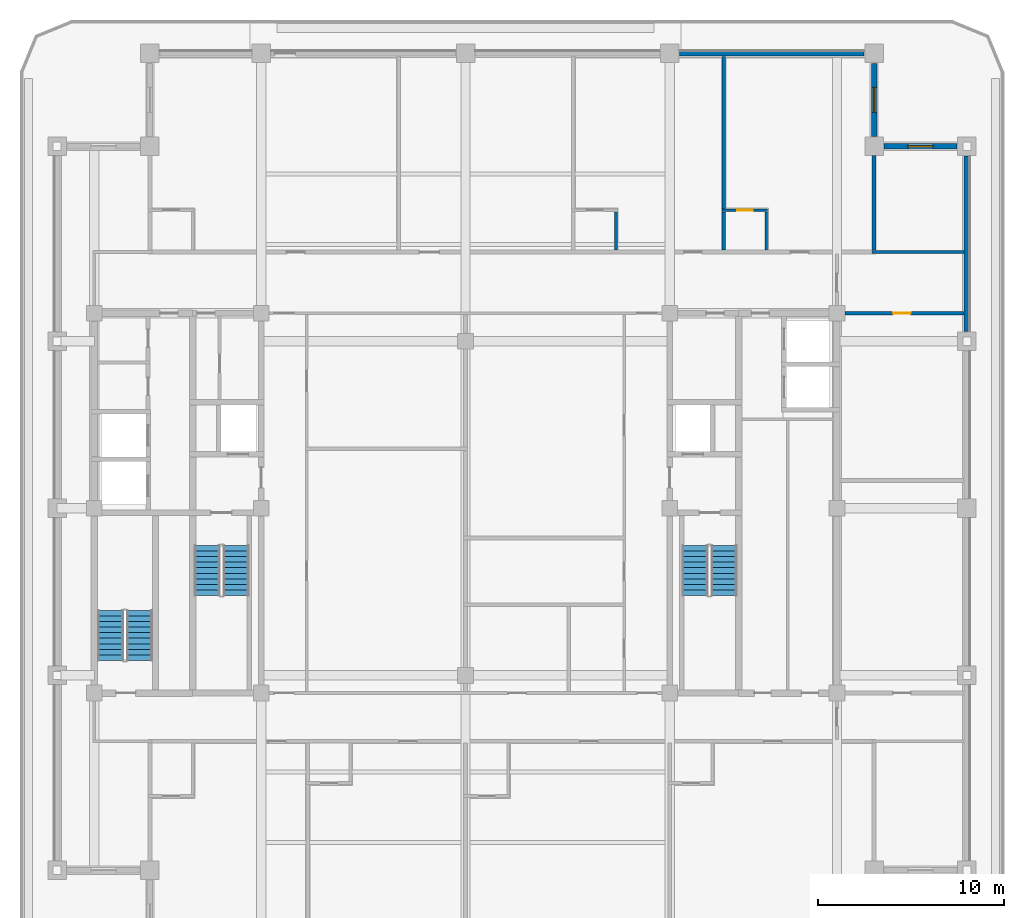
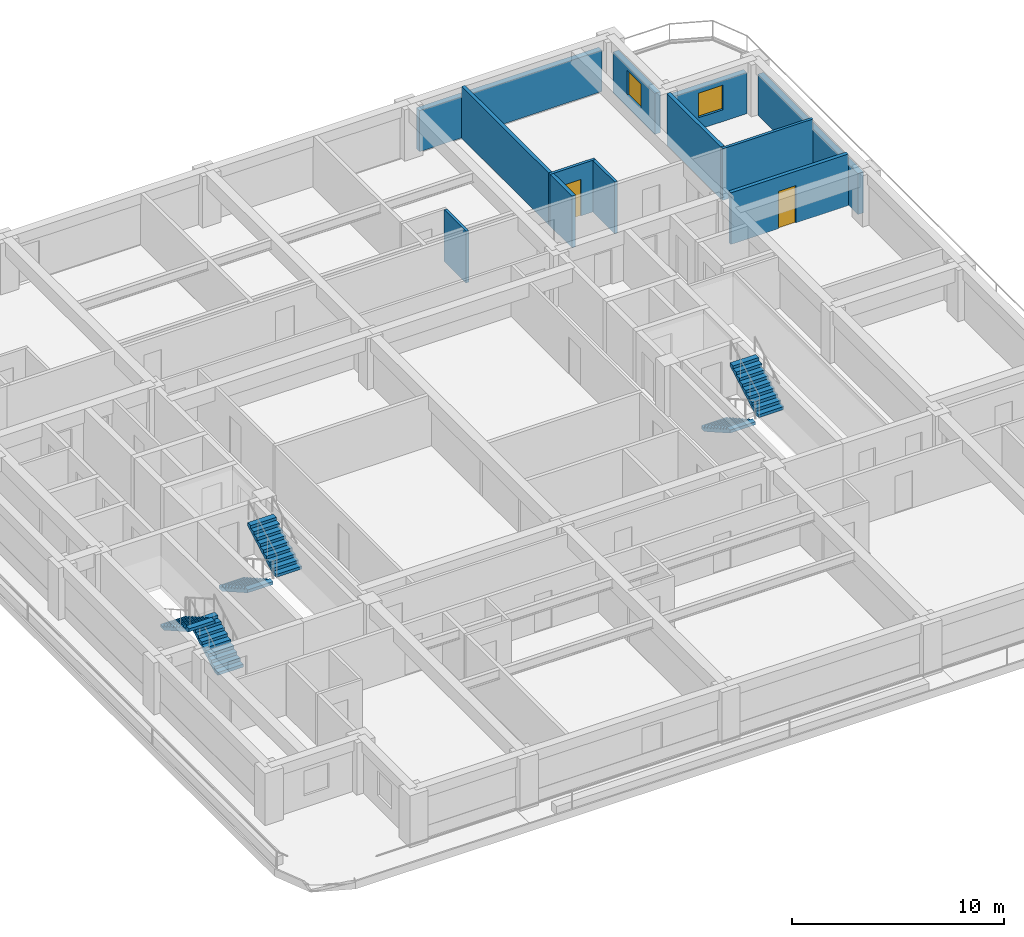
# One storey, part 6 of 13: 12 walls, 6 stair flights, 2 doors, 2 windows, 4 openings, 3 elements without a shape of their own.
"""IFC4 building model written with IfcOpenShell, lengths in metres."""

from ifc_helpers import new_model, si_unit, direction, frame, frame_2d, origin, place, context, subcontext, project, spatial, polyline, rectangle, outline, extrude, material, layer, layer_set, type_object, element, fill, aggregate, save


model = new_model("IFC4")

# Units and contexts
model_context = context("Model", 3, precision=1e-05, world=origin(), true_north=direction((0.0, 1.0)))
body_context = subcontext(model_context, "Body", "Model", "MODEL_VIEW")
ifc_project = project(units=[si_unit("LENGTHUNIT", "METRE"), si_unit("AREAUNIT", "SQUARE_METRE"), si_unit("VOLUMEUNIT", "CUBIC_METRE"), si_unit("PLANEANGLEUNIT", "RADIAN"), si_unit("MASSUNIT", "GRAM", prefix="KILO")], contexts=[model_context])

# Site, building, storey
site_placement = place(None, origin())
site = spatial("IfcSite", under=ifc_project, at=site_placement, CompositionType="ELEMENT")
building_placement = place(site_placement, origin())
building = spatial("IfcBuilding", under=site, at=building_placement, Name="Zulmaris Gate Convention Tower", CompositionType="ELEMENT")
storey_placement = place(building_placement, frame((0.0, 0.0, 183.059814453125)))
storey = spatial("IfcBuildingStorey", under=building, at=storey_placement, Name="L47", CompositionType="ELEMENT", Elevation=183.059814453125)

# Wall
ifc_material_1 = material(Name="Gypsum Metal Stud Partition")
ifc_layer_1 = layer(ifc_material_1, 0.14990234375, Name="Gypsum Metal Stud Partition")
ifc_layer_set_1 = layer_set([ifc_layer_1], Name="Gypsum Metal Stud Partition")
wall_type_1 = type_object("IfcWallType", Name="PART-150", PredefinedType="PARTITIONING", material=ifc_layer_set_1)
wall_1_placement = place(storey_placement, frame((21.89990234375, 13.800048828125, 0.0), z_axis=(0.0, 0.0, 1.0), x_axis=(1.0, 0.0, 0.0)))
element("IfcWall", 1, at=wall_1_placement, inside=storey, type_object=wall_type_1, Name="WL-L47-038", PredefinedType="PARTITIONING", context=body_context, shape_type="SweptSolid", body=[
    extrude(rectangle(XDim=4.93505859375, YDim=0.14990234375, at=frame_2d((2.467529296875, 0.0))), origin(), (0.0, 0.0, 1.0), 2.97509765625),
])

# Wall, opening, door
wall_2_placement = place(storey_placement, frame((13.800048828125, 16.050048828125, 0.0), z_axis=(0.0, 0.0, 1.0), x_axis=(1.0, 0.0, 0.0)))
wall_2 = element("IfcWall", 2, at=wall_2_placement, inside=storey, type_object=wall_type_1, Name="WL-L47-041", PredefinedType="PARTITIONING", context=body_context, shape_type="SweptSolid", body=[
    extrude(rectangle(XDim=2.474853515625, YDim=0.14990234375, at=frame_2d((1.2373046875, 0.0))), origin(), (0.0, 0.0, 1.0), 2.97509765625),
])
opening_1_placement = place(wall_2_placement, frame((0.824951171875, 0.0, 0.0)))
opening_1 = element("IfcOpeningElement", 3, at=opening_1_placement, cuts=wall_2, Name="Opening D-17", PredefinedType="OPENING", context=body_context, shape_type="SweptSolid", body=[
    extrude(rectangle(XDim=0.85009765625, YDim=2.10009765625, at=frame_2d((0.425048828125, 1.050048828125))), frame((0.0, 0.0849609375, 0.0), z_axis=(0.0, -1.0, 0.0), x_axis=(1.0, 0.0, 0.0)), (0.0, 0.0, 1.0), 0.169921875),
])
ifc_material_2 = material(Name="Moisture-Resistant Hardwood Timber", Category="wood")
door_type_1 = type_object("IfcDoorType", Name="DR-850", OperationType="NOTDEFINED", PredefinedType="DOOR", material=ifc_material_2)
door_1_placement = place(opening_1_placement, origin())
door_1 = element("IfcDoor", 4, at=door_1_placement, inside=storey, type_object=door_type_1, Name="L47 En-Suite Door 31", OperationType="SINGLE_SWING_RIGHT", OverallHeight=2.10009765625, OverallWidth=0.85009765625, PredefinedType="DOOR", context=body_context, shape_type="SweptSolid", body=[
    extrude(rectangle(XDim=0.85009765625, YDim=2.10009765625, at=frame_2d((0.425048828125, 1.050048828125))), frame((0.0, 0.02490234375, 0.0), z_axis=(0.0, -1.0, 0.0), x_axis=(1.0, 0.0, 0.0)), (0.0, 0.0, 1.0), 0.050048828125),
])
fill(opening_1, door_1)

# Walls
for number, where, z_axis, x_axis, name in (
    (5, (8.10009765625, 13.903076171875, 0.0), (0.0, 0.0, 1.0), (0.0, 1.0, 0.0), "WL-L47-101"),
    (6, (16.199951171875, 13.903076171875, 0.0), (0.0, 0.0, 1.0), (0.0, 1.0, 0.0), "WL-L47-110"),
):
    element("IfcWall", number, at=place(storey_placement, frame(where, z_axis=z_axis, x_axis=x_axis)), inside=storey, type_object=wall_type_1, Name=name, PredefinedType="PARTITIONING", context=body_context, shape_type="SweptSolid", body=[
        extrude(rectangle(XDim=2.06884765625, YDim=0.14990234375, at=frame_2d((1.034423828125, 0.0))), origin(), (0.0, 0.0, 1.0), 2.97509765625),
    ])

# Wall, opening, door
ifc_material_3 = material(Name="Autoclaved Aerated Concrete Block and Plasterboard", Category="concrete")
ifc_layer_2 = layer(ifc_material_3, 0.199951171875, Name="Autoclaved Aerated Concrete Block and Plasterboard")
ifc_layer_set_2 = layer_set([ifc_layer_2], Name="Autoclaved Aerated Concrete Block and Plasterboard")
wall_type_2 = type_object("IfcWallType", Name="PART-200", PredefinedType="PARTITIONING", material=ifc_layer_set_2)
wall_3_placement = place(storey_placement, frame((20.430908203125, 10.5, 0.0), z_axis=(0.0, 0.0, 1.0), x_axis=(1.0, 0.0, 0.0)))
wall_3 = element("IfcWall", 7, at=wall_3_placement, inside=storey, type_object=wall_type_2, Name="WL-L47-035", PredefinedType="PARTITIONING", context=body_context, shape_type="SweptSolid", body=[
    extrude(rectangle(XDim=6.404052734375, YDim=0.199951171875, at=frame_2d((3.2021484375, 0.0))), origin(), (0.0, 0.0, 1.0), 2.97509765625),
])
opening_2_placement = place(wall_3_placement, frame((2.593994140625, 0.0, 0.0)))
opening_2 = element("IfcOpeningElement", 8, at=opening_2_placement, cuts=wall_3, Name="Opening D-11", PredefinedType="OPENING", context=body_context, shape_type="SweptSolid", body=[
    extrude(rectangle(XDim=0.949951171875, YDim=2.14990234375, at=frame_2d((0.47509765625, 1.074951171875))), frame((0.0, 0.10986328125, 0.0), z_axis=(0.0, -1.0, 0.0), x_axis=(1.0, 0.0, 0.0)), (0.0, 0.0, 1.0), 0.219970703125),
])
ifc_material_4 = material(Name="Fire-Rated Timber", Category="wood")
door_type_2 = type_object("IfcDoorType", Name="DR-950-FD", OperationType="NOTDEFINED", PredefinedType="DOOR", material=ifc_material_4)
door_2_placement = place(opening_2_placement, origin())
door_2 = element("IfcDoor", 9, at=door_2_placement, inside=storey, type_object=door_type_2, Name="L47 East Lounge Door 48", OperationType="SINGLE_SWING_LEFT", OverallHeight=2.14990234375, OverallWidth=0.949951171875, PredefinedType="DOOR", context=body_context, shape_type="SweptSolid", body=[
    extrude(rectangle(XDim=0.949951171875, YDim=2.14990234375, at=frame_2d((0.47509765625, 1.074951171875))), frame((0.0, 0.02490234375, 0.0), z_axis=(0.0, -1.0, 0.0), x_axis=(1.0, 0.0, 0.0)), (0.0, 0.0, 1.0), 0.050048828125),
])
fill(opening_2, door_2)

# Walls
wall_4_placement = place(storey_placement, frame((13.89990234375, 13.903076171875, 0.0), z_axis=(0.0, 0.0, 1.0), x_axis=(0.0, 1.0, 0.0)))
element("IfcWall", 10, at=wall_4_placement, inside=storey, type_object=wall_type_2, Name="WL-L47-108", PredefinedType="PARTITIONING", context=body_context, shape_type="SweptSolid", body=[
    extrude(rectangle(XDim=2.06884765625, YDim=0.199951171875, at=frame_2d((1.034423828125, 0.0))), origin(), (0.0, 0.0, 1.0), 2.97509765625),
])
wall_5_placement = place(storey_placement, frame((13.89990234375, 16.1279296875, 0.0), z_axis=(0.0, 0.0, 1.0), x_axis=(0.0, 1.0, 0.0)))
element("IfcWall", 11, at=wall_5_placement, inside=storey, type_object=wall_type_2, Name="WL-L47-109", PredefinedType="PARTITIONING", context=body_context, shape_type="SweptSolid", body=[
    extrude(rectangle(XDim=8.20703125, YDim=0.199951171875, at=frame_2d((4.103515625, 0.0))), origin(), (0.0, 0.0, 1.0), 2.97509765625),
])
wall_6_placement = place(storey_placement, frame((22.0, 13.903076171875, 0.0), z_axis=(0.0, 0.0, 1.0), x_axis=(0.0, 1.0, 0.0)))
element("IfcWall", 12, at=wall_6_placement, inside=storey, type_object=wall_type_2, Name="WL-L47-115", PredefinedType="PARTITIONING", context=body_context, shape_type="SweptSolid", body=[
    extrude(rectangle(XDim=5.0908203125, YDim=0.199951171875, at=frame_2d((2.54541015625, 0.0))), origin(), (0.0, 0.0, 1.0), 2.97509765625),
])

# Wall, opening, window
ifc_material_5 = material(Name="Precast concrete C40/50", Category="concrete")
ifc_layer_3 = layer(ifc_material_5, 0.300048828125, Name="Precast concrete C40/50")
ifc_layer_set_3 = layer_set([ifc_layer_3], Name="Precast concrete C40/50")
wall_type_3 = type_object("IfcWallType", Name="PRECAST-PIER-300", PredefinedType="STANDARD", material=ifc_layer_set_3)
wall_7_placement = place(storey_placement, frame((26.469970703125, 19.5, 0.0), z_axis=(0.0, 0.0, 1.0), x_axis=(-1.0, 0.0, 0.0)))
wall_7 = element("IfcWall", 13, at=wall_7_placement, inside=storey, type_object=wall_type_3, Name="EW-L47-NOTCH-NE1_0", PredefinedType="STANDARD", context=body_context, shape_type="SweptSolid", body=[
    extrude(rectangle(XDim=3.93994140625, YDim=0.300048828125, at=frame_2d((1.969970703125, 0.0))), origin(), (0.0, 0.0, 1.0), 2.3671875),
])
opening_3_placement = place(wall_7_placement, frame((1.294921875, 0.0, 0.679931640625)))
opening_3 = element("IfcOpeningElement", 14, at=opening_3_placement, cuts=wall_7, Name="Opening W-10", PredefinedType="OPENING", context=body_context, shape_type="SweptSolid", body=[
    extrude(rectangle(XDim=1.35009765625, YDim=1.419921875, at=frame_2d((0.675048828125, 0.7099609375))), frame((0.0, 0.16015625, 0.0), z_axis=(0.0, -1.0, 0.0), x_axis=(1.0, 0.0, 0.0)), (0.0, 0.0, 1.0), 0.320068359375),
])
ifc_material_6 = material(Name="Low-E Laminated Double Glazing in Aluminium Frame", Category="aluminium")
window_type = type_object("IfcWindowType", Name="WIN-1350x2000", PartitioningType="SINGLE_PANEL", PredefinedType="WINDOW", material=ifc_material_6)
window_1_placement = place(opening_3_placement, origin())
window_1 = element("IfcWindow", 15, at=window_1_placement, inside=storey, type_object=window_type, Name="WN-EW-L47-NOTCH-NE1_0", OverallHeight=1.419921875, OverallWidth=1.35009765625, PartitioningType="SINGLE_PANEL", PredefinedType="WINDOW", context=body_context, shape_type="SweptSolid", body=[
    extrude(rectangle(XDim=1.35009765625, YDim=1.419921875, at=frame_2d((0.675048828125, 0.7099609375))), frame((0.0, 0.030029296875, 0.0), z_axis=(0.0, -1.0, 0.0), x_axis=(1.0, 0.0, 0.0)), (0.0, 0.0, 1.0), 0.06005859375),
])
fill(opening_3, window_1)

wall_8_placement = place(storey_placement, frame((22.0, 20.030029296875, 0.0), z_axis=(0.0, 0.0, 1.0), x_axis=(0.0, 1.0, 0.0)))
wall_8 = element("IfcWall", 16, at=wall_8_placement, inside=storey, type_object=wall_type_3, Name="EW-L47-NOTCH-NE2_0", PredefinedType="STANDARD", context=body_context, shape_type="SweptSolid", body=[
    extrude(rectangle(XDim=3.93994140625, YDim=0.300048828125, at=frame_2d((1.969970703125, 0.0))), origin(), (0.0, 0.0, 1.0), 2.3671875),
])
opening_4_placement = place(wall_8_placement, frame((1.294921875, 0.0, 0.679931640625)))
opening_4 = element("IfcOpeningElement", 17, at=opening_4_placement, cuts=wall_8, Name="Opening W-10", PredefinedType="OPENING", context=body_context, shape_type="SweptSolid", body=[
    extrude(rectangle(XDim=1.35009765625, YDim=1.419921875, at=frame_2d((0.675048828125, 0.7099609375))), frame((0.0, 0.16015625, 0.0), z_axis=(0.0, -1.0, 0.0), x_axis=(1.0, 0.0, 0.0)), (0.0, 0.0, 1.0), 0.320068359375),
])
window_2_placement = place(opening_4_placement, origin())
window_2 = element("IfcWindow", 18, at=window_2_placement, inside=storey, type_object=window_type, Name="WN-EW-L47-NOTCH-NE2_0", OverallHeight=1.419921875, OverallWidth=1.35009765625, PartitioningType="SINGLE_PANEL", PredefinedType="WINDOW", context=body_context, shape_type="SweptSolid", body=[
    extrude(rectangle(XDim=1.35009765625, YDim=1.419921875, at=frame_2d((0.675048828125, 0.7099609375))), frame((0.0, 0.030029296875, 0.0), z_axis=(0.0, -1.0, 0.0), x_axis=(1.0, 0.0, 0.0)), (0.0, 0.0, 1.0), 0.06005859375),
])
fill(opening_4, window_2)

# Walls
wall_9_placement = place(storey_placement, frame((21.469970703125, 24.5, 0.0), z_axis=(0.0, 0.0, 1.0), x_axis=(-1.0, 0.0, 0.0)))
element("IfcWall", 19, at=wall_9_placement, inside=storey, type_object=wall_type_3, Name="EW-L47-N-3_0", PredefinedType="STANDARD", context=body_context, shape_type="SweptSolid", body=[
    extrude(rectangle(XDim=9.93994140625, YDim=0.300048828125, at=frame_2d((4.969970703125, 0.0))), origin(), (0.0, 0.0, 1.0), 2.3671875),
])
wall_10_placement = place(storey_placement, frame((27.0, 9.530029296875, 0.0), z_axis=(0.0, 0.0, 1.0), x_axis=(0.0, 1.0, 0.0)))
element("IfcWall", 20, at=wall_10_placement, inside=storey, type_object=wall_type_3, Name="EW-L47-E-3_0", PredefinedType="STANDARD", context=body_context, shape_type="SweptSolid", body=[
    extrude(rectangle(XDim=9.43994140625, YDim=0.300048828125, at=frame_2d((4.719970703125, 0.0))), origin(), (0.0, 0.0, 1.0), 2.3671875),
])

# Stair, stair flights
ifc_material_7 = material(Name="Concrete C45/55", Category="concrete")
stair_type = type_object("IfcStairType", Name="ST-CORE-DOGLEG", PredefinedType="HALF_TURN_STAIR", material=ifc_material_7)
stair_1_placement = place(storey_placement, origin())
stair_1 = element("IfcStair", 21, at=stair_1_placement, inside=storey, type_object=stair_type, Name="L47 Core Exit Stair ST-1", PredefinedType="HALF_TURN_STAIR")
ifc_layer_4 = layer(ifc_material_7, 0.14990234375, Name="Concrete C45/55")
ifc_layer_set_4 = layer_set([ifc_layer_4], Name="Concrete C45/55")
stair_flight_type = type_object("IfcStairFlightType", Name="STF-RC150", PredefinedType="STRAIGHT", material=ifc_layer_set_4)
stair_flight_1_placement = place(storey_placement, frame((-13.919921875, -2.0, 0.0), z_axis=(0.0, 0.0, 1.0), x_axis=(0.0, -1.0, 0.0)))
stair_flight_1 = element("IfcStairFlight", 22, at=stair_flight_1_placement, type_object=stair_flight_type, Name="ST-1 flight 1", NumberOfRisers=10, NumberOfTreads=9, PredefinedType="STRAIGHT", RiserHeight=0.17001, TreadLength=0.3, context=body_context, shape_type="SweptSolid", body=[
    extrude(outline(polyline([(0.0, 0.0), (0.0, 0.169921875), (0.300048828125, 0.169921875), (0.300048828125, 0.340087890625), (0.60009765625, 0.340087890625), (0.60009765625, 0.510009765625), (0.89990234375, 0.510009765625), (0.89990234375, 0.679931640625), (1.199951171875, 0.679931640625), (1.199951171875, 0.85009765625), (1.5, 0.85009765625), (1.5, 1.02001953125), (1.800048828125, 1.02001953125), (1.800048828125, 1.190185546875), (2.10009765625, 1.190185546875), (2.10009765625, 1.360107421875), (2.39990234375, 1.360107421875), (2.39990234375, 1.530029296875), (2.699951171875, 1.530029296875), (2.699951171875, 1.7001953125), (2.699951171875, 1.35791015625), (0.303955078125, 0.0), (0.0, 0.0)])), frame((0.0, 0.699951171875, 0.0), z_axis=(0.0, -1.0, 0.0), x_axis=(1.0, 0.0, 0.0)), (0.0, 0.0, 1.0), 1.39990234375),
])
stair_flight_2_placement = place(storey_placement, frame((-12.360107421875, -4.699951171875, 1.7001953125), z_axis=(0.0, 0.0, 1.0), x_axis=(0.0, 1.0, 0.0)))
stair_flight_2 = element("IfcStairFlight", 23, at=stair_flight_2_placement, type_object=stair_flight_type, Name="ST-1 flight 2", NumberOfRisers=10, NumberOfTreads=9, PredefinedType="STRAIGHT", RiserHeight=0.17001, TreadLength=0.3, context=body_context, shape_type="SweptSolid", body=[
    extrude(outline(polyline([(0.0, 0.0), (0.0, 0.169921875), (0.300048828125, 0.169921875), (0.300048828125, 0.340087890625), (0.60009765625, 0.340087890625), (0.60009765625, 0.510009765625), (0.89990234375, 0.510009765625), (0.89990234375, 0.679931640625), (1.199951171875, 0.679931640625), (1.199951171875, 0.85009765625), (1.5, 0.85009765625), (1.5, 1.02001953125), (1.800048828125, 1.02001953125), (1.800048828125, 1.190185546875), (2.10009765625, 1.190185546875), (2.10009765625, 1.360107421875), (2.39990234375, 1.360107421875), (2.39990234375, 1.530029296875), (2.699951171875, 1.530029296875), (2.699951171875, 1.7001953125), (2.699951171875, 1.35791015625), (0.303955078125, 0.0), (0.0, 0.0)])), frame((0.0, 0.699951171875, 0.0), z_axis=(0.0, -1.0, 0.0), x_axis=(1.0, 0.0, 0.0)), (0.0, 0.0, 1.0), 1.39990234375),
])
aggregate(stair_1, [stair_flight_1, stair_flight_2])

stair_2_placement = place(storey_placement, origin())
stair_2 = element("IfcStair", 24, at=stair_2_placement, inside=storey, type_object=stair_type, Name="L47 Core Exit Stair ST-2", PredefinedType="HALF_TURN_STAIR")
stair_flight_3_placement = place(storey_placement, frame((12.360107421875, -2.0, 0.0), z_axis=(0.0, 0.0, 1.0), x_axis=(0.0, -1.0, 0.0)))
stair_flight_3 = element("IfcStairFlight", 25, at=stair_flight_3_placement, type_object=stair_flight_type, Name="ST-2 flight 1", NumberOfRisers=10, NumberOfTreads=9, PredefinedType="STRAIGHT", RiserHeight=0.17001, TreadLength=0.3, context=body_context, shape_type="SweptSolid", body=[
    extrude(outline(polyline([(0.0, 0.0), (0.0, 0.169921875), (0.300048828125, 0.169921875), (0.300048828125, 0.340087890625), (0.60009765625, 0.340087890625), (0.60009765625, 0.510009765625), (0.89990234375, 0.510009765625), (0.89990234375, 0.679931640625), (1.199951171875, 0.679931640625), (1.199951171875, 0.85009765625), (1.5, 0.85009765625), (1.5, 1.02001953125), (1.800048828125, 1.02001953125), (1.800048828125, 1.190185546875), (2.10009765625, 1.190185546875), (2.10009765625, 1.360107421875), (2.39990234375, 1.360107421875), (2.39990234375, 1.530029296875), (2.699951171875, 1.530029296875), (2.699951171875, 1.7001953125), (2.699951171875, 1.35791015625), (0.303955078125, 0.0), (0.0, 0.0)])), frame((0.0, 0.699951171875, 0.0), z_axis=(0.0, -1.0, 0.0), x_axis=(1.0, 0.0, 0.0)), (0.0, 0.0, 1.0), 1.39990234375),
])
stair_flight_4_placement = place(storey_placement, frame((13.919921875, -4.699951171875, 1.7001953125), z_axis=(0.0, 0.0, 1.0), x_axis=(0.0, 1.0, 0.0)))
stair_flight_4 = element("IfcStairFlight", 26, at=stair_flight_4_placement, type_object=stair_flight_type, Name="ST-2 flight 2", NumberOfRisers=10, NumberOfTreads=9, PredefinedType="STRAIGHT", RiserHeight=0.17001, TreadLength=0.3, context=body_context, shape_type="SweptSolid", body=[
    extrude(outline(polyline([(0.0, 0.0), (0.0, 0.169921875), (0.300048828125, 0.169921875), (0.300048828125, 0.340087890625), (0.60009765625, 0.340087890625), (0.60009765625, 0.510009765625), (0.89990234375, 0.510009765625), (0.89990234375, 0.679931640625), (1.199951171875, 0.679931640625), (1.199951171875, 0.85009765625), (1.5, 0.85009765625), (1.5, 1.02001953125), (1.800048828125, 1.02001953125), (1.800048828125, 1.190185546875), (2.10009765625, 1.190185546875), (2.10009765625, 1.360107421875), (2.39990234375, 1.360107421875), (2.39990234375, 1.530029296875), (2.699951171875, 1.530029296875), (2.699951171875, 1.7001953125), (2.699951171875, 1.35791015625), (0.303955078125, 0.0), (0.0, 0.0)])), frame((0.0, 0.699951171875, 0.0), z_axis=(0.0, -1.0, 0.0), x_axis=(1.0, 0.0, 0.0)), (0.0, 0.0, 1.0), 1.39990234375),
])
aggregate(stair_2, [stair_flight_3, stair_flight_4])

stair_3_placement = place(storey_placement, origin())
stair_3 = element("IfcStair", 27, at=stair_3_placement, inside=storey, type_object=stair_type, Name="L47 Core Exit Stair ST-3", PredefinedType="HALF_TURN_STAIR")
stair_flight_5_placement = place(storey_placement, frame((-17.56005859375, -8.199951171875, 0.0), z_axis=(0.0, 0.0, 1.0), x_axis=(0.0, 1.0, 0.0)))
stair_flight_5 = element("IfcStairFlight", 28, at=stair_flight_5_placement, type_object=stair_flight_type, Name="ST-3 flight 1", NumberOfRisers=10, NumberOfTreads=9, PredefinedType="STRAIGHT", RiserHeight=0.17001, TreadLength=0.3, context=body_context, shape_type="SweptSolid", body=[
    extrude(outline(polyline([(0.0, 0.0), (0.0, 0.169921875), (0.300048828125, 0.169921875), (0.300048828125, 0.340087890625), (0.60009765625, 0.340087890625), (0.60009765625, 0.510009765625), (0.89990234375, 0.510009765625), (0.89990234375, 0.679931640625), (1.199951171875, 0.679931640625), (1.199951171875, 0.85009765625), (1.5, 0.85009765625), (1.5, 1.02001953125), (1.800048828125, 1.02001953125), (1.800048828125, 1.190185546875), (2.10009765625, 1.190185546875), (2.10009765625, 1.360107421875), (2.39990234375, 1.360107421875), (2.39990234375, 1.530029296875), (2.699951171875, 1.530029296875), (2.699951171875, 1.7001953125), (2.699951171875, 1.35791015625), (0.303955078125, 0.0), (0.0, 0.0)])), frame((0.0, 0.699951171875, 0.0), z_axis=(0.0, -1.0, 0.0), x_axis=(1.0, 0.0, 0.0)), (0.0, 0.0, 1.0), 1.39990234375),
])
stair_flight_6_placement = place(storey_placement, frame((-19.1201171875, -5.5, 1.7001953125), z_axis=(0.0, 0.0, 1.0), x_axis=(0.0, -1.0, 0.0)))
stair_flight_6 = element("IfcStairFlight", 29, at=stair_flight_6_placement, type_object=stair_flight_type, Name="ST-3 flight 2", NumberOfRisers=10, NumberOfTreads=9, PredefinedType="STRAIGHT", RiserHeight=0.17001, TreadLength=0.3, context=body_context, shape_type="SweptSolid", body=[
    extrude(outline(polyline([(0.0, 0.0), (0.0, 0.169921875), (0.300048828125, 0.169921875), (0.300048828125, 0.340087890625), (0.60009765625, 0.340087890625), (0.60009765625, 0.510009765625), (0.89990234375, 0.510009765625), (0.89990234375, 0.679931640625), (1.199951171875, 0.679931640625), (1.199951171875, 0.85009765625), (1.5, 0.85009765625), (1.5, 1.02001953125), (1.800048828125, 1.02001953125), (1.800048828125, 1.190185546875), (2.10009765625, 1.190185546875), (2.10009765625, 1.360107421875), (2.39990234375, 1.360107421875), (2.39990234375, 1.530029296875), (2.699951171875, 1.530029296875), (2.699951171875, 1.7001953125), (2.699951171875, 1.35791015625), (0.303955078125, 0.0), (0.0, 0.0)])), frame((0.0, 0.699951171875, 0.0), z_axis=(0.0, -1.0, 0.0), x_axis=(1.0, 0.0, 0.0)), (0.0, 0.0, 1.0), 1.39990234375),
])
aggregate(stair_3, [stair_flight_5, stair_flight_6])

save(model, "model.ifc")
